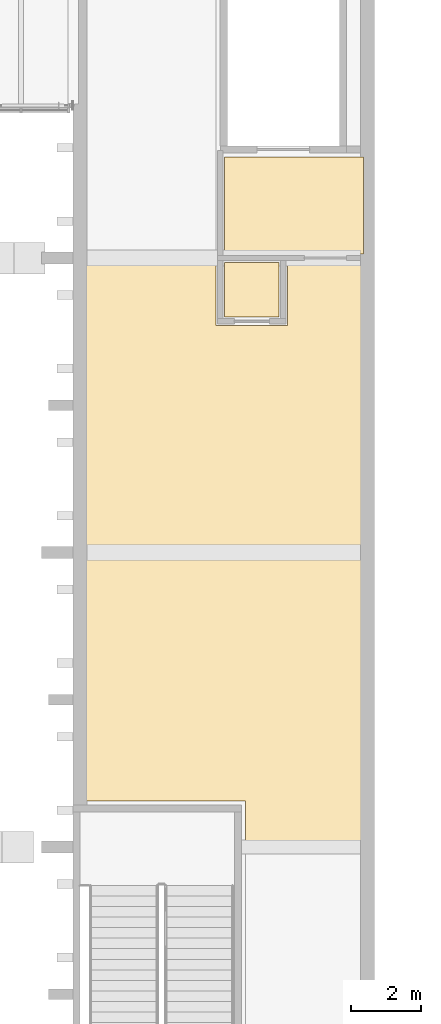
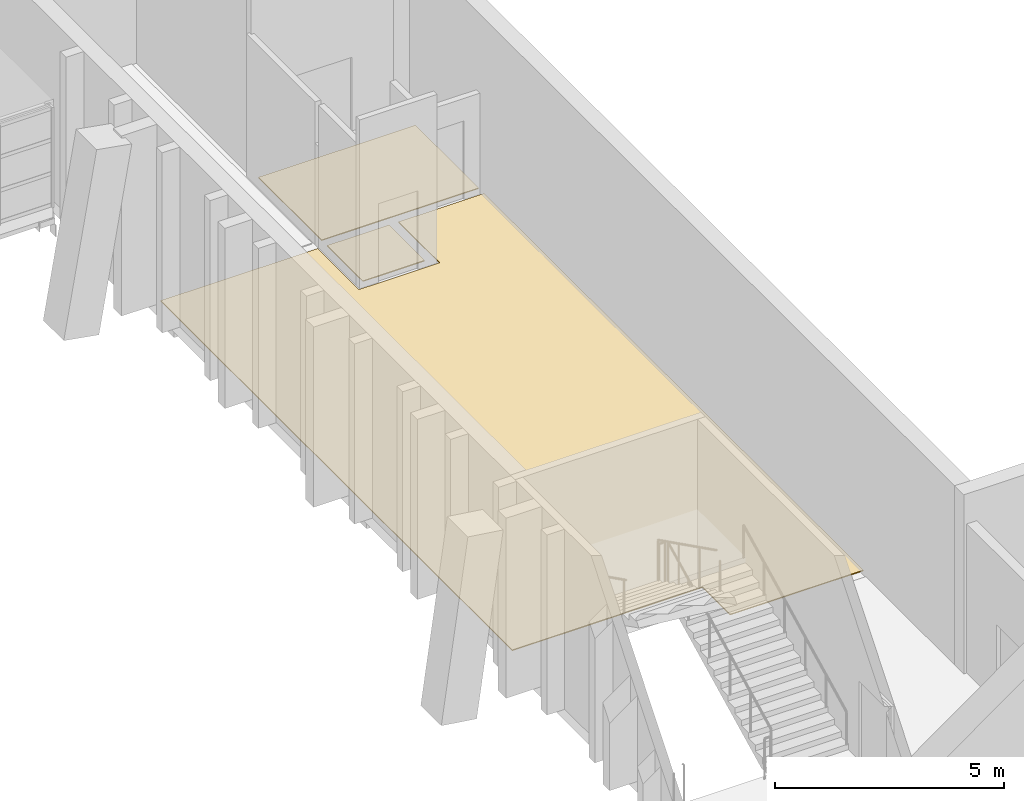
# One storey, part 83 of 91: 3 coverings.
"""IFC4 building model written with IfcOpenShell, lengths in metres."""

from ifc_helpers import new_model, si_unit, direction, frame, origin, place, context, subcontext, project, spatial, polyline, outline, extrude, material, layer, layer_set, type_object, element, save


model = new_model("IFC4")

# Units and contexts
model_context = context("Model", 3, precision=1e-05, world=origin(), true_north=direction((0.0, 1.0)))
body_context = subcontext(model_context, "Body", "Model", "MODEL_VIEW")
ifc_project = project(units=[si_unit("LENGTHUNIT", "METRE"), si_unit("AREAUNIT", "SQUARE_METRE"), si_unit("VOLUMEUNIT", "CUBIC_METRE"), si_unit("PLANEANGLEUNIT", "RADIAN"), si_unit("MASSUNIT", "GRAM", prefix="KILO")], contexts=[model_context])

# Site, building, storey
site_placement = place(None, origin())
site = spatial("IfcSite", under=ifc_project, at=site_placement, CompositionType="ELEMENT")
building_placement = place(site_placement, origin())
building = spatial("IfcBuilding", under=site, at=building_placement, Name="Kiln Court Media Centre", CompositionType="ELEMENT")
storey_placement = place(building_placement, frame((0.0, 0.0, 5.39990234375)))
storey = spatial("IfcBuildingStorey", under=building, at=storey_placement, Name="L01", CompositionType="ELEMENT", Elevation=5.39990234375)

# Coverings
ifc_material = material(Name="Terrazzo")
ifc_layer = layer(ifc_material, 0.02490234375)
ifc_layer_set = layer_set([ifc_layer], Name="Polished terrazzo floor finish 25")
covering_type = type_object("IfcCoveringType", Name="Polished terrazzo floor finish 25", PredefinedType="FLOORING", material=ifc_layer_set)
covering_1_placement = place(storey_placement, origin())
element("IfcCovering", 1, at=covering_1_placement, inside=storey, type_object=covering_type, Name="Studio Gallery Lobby floor finish", PredefinedType="FLOORING", context=body_context, shape_type="SweptSolid", body=[
    extrude(outline(polyline([(125.8798828125, 58.679931640625), (123.719970703125, 58.679931640625), (123.719970703125, 56.8798828125), (121.679931640625, 56.8798828125), (121.679931640625, 58.679931640625), (117.719970703125, 58.679931640625), (117.719970703125, 43.320068359375), (122.52001953125, 43.320068359375), (122.52001953125, 42.1201171875), (125.8798828125, 42.1201171875), (125.8798828125, 58.679931640625)])), origin(), (0.0, 0.0, 1.0), 0.025146484375),
])
covering_2_placement = place(storey_placement, origin())
element("IfcCovering", 2, at=covering_2_placement, inside=storey, type_object=covering_type, Name="Wheelchair Refuge floor finish", PredefinedType="FLOORING", context=body_context, shape_type="SweptSolid", body=[
    extrude(outline(polyline([(121.919921875, 57.1201171875), (123.47998046875, 57.1201171875), (123.47998046875, 58.679931640625), (121.919921875, 58.679931640625), (121.919921875, 57.1201171875)])), origin(), (0.0, 0.0, 1.0), 0.025146484375),
])
covering_3_placement = place(storey_placement, origin())
element("IfcCovering", 3, at=covering_3_placement, inside=storey, type_object=covering_type, Name="Fire-fighting Lift Lobby floor finish", PredefinedType="FLOORING", context=body_context, shape_type="SweptSolid", body=[
    extrude(outline(polyline([(121.919921875, 58.919921875), (125.8798828125, 58.919921875), (125.8798828125, 61.679931640625), (121.919921875, 61.679931640625), (121.919921875, 58.919921875)])), origin(), (0.0, 0.0, 1.0), 0.025146484375),
])

save(model, "model.ifc")
